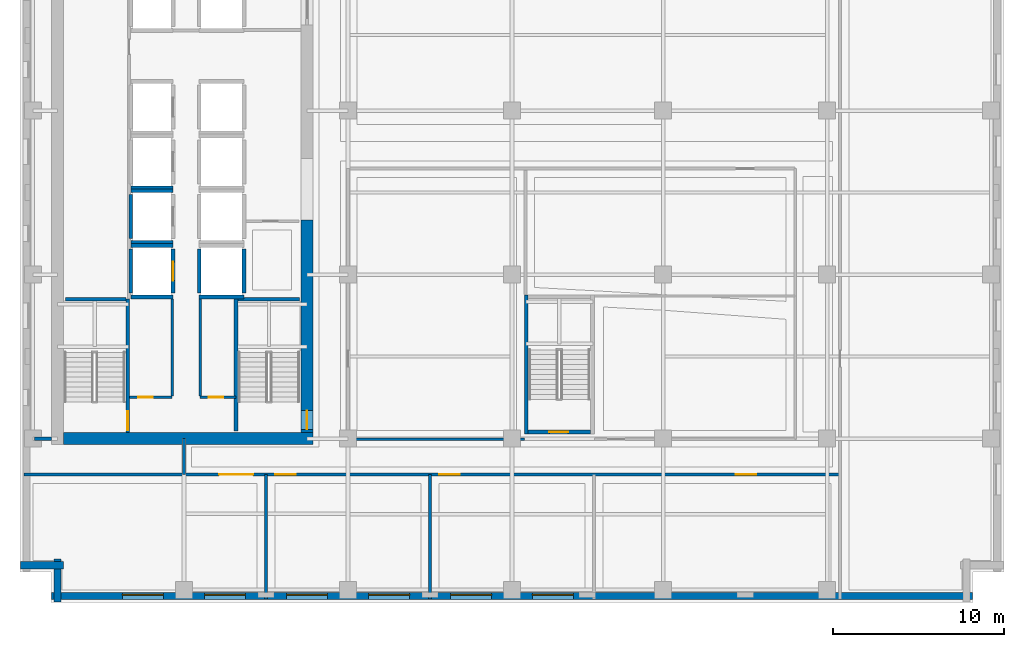
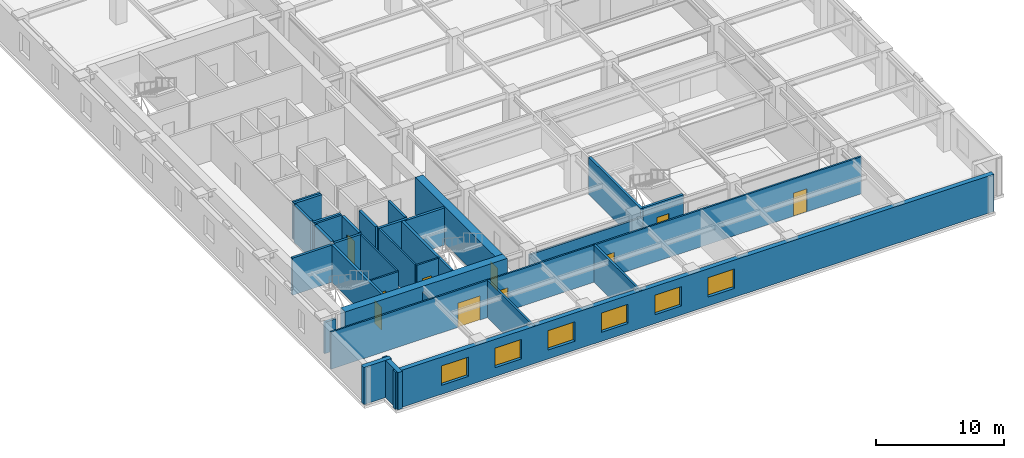
# One storey, part 3 of 11: 32 walls, 10 doors, 6 windows, 16 openings.
"""IFC4 building model written with IfcOpenShell, lengths in metres."""

from ifc_helpers import new_model, si_unit, direction, frame, frame_2d, origin, place, context, subcontext, project, spatial, rectangle, extrude, material, layer, layer_set, type_object, element, fill, save


model = new_model("IFC4")

# Units and contexts
model_context = context("Model", 3, precision=1e-05, world=origin(), true_north=direction((0.0, 1.0)))
body_context = subcontext(model_context, "Body", "Model", "MODEL_VIEW")
ifc_project = project(units=[si_unit("LENGTHUNIT", "METRE"), si_unit("AREAUNIT", "SQUARE_METRE"), si_unit("VOLUMEUNIT", "CUBIC_METRE"), si_unit("PLANEANGLEUNIT", "RADIAN"), si_unit("MASSUNIT", "GRAM", prefix="KILO")], contexts=[model_context])

# Site, building, storey
site_placement = place(None, origin())
site = spatial("IfcSite", under=ifc_project, at=site_placement, CompositionType="ELEMENT")
building_placement = place(site_placement, origin())
building = spatial("IfcBuilding", under=site, at=building_placement, Name="Norrvale University Quadrangle", CompositionType="ELEMENT")
storey_placement = place(building_placement, frame((0.0, 0.0, 128.0)))
storey = spatial("IfcBuildingStorey", under=building, at=storey_placement, Name="L32", CompositionType="ELEMENT", Elevation=128.0)

# Wall, openings, windows
ifc_material_1 = material(Name="Buff Norman Clay Brick Masonry", Category="masonry")
ifc_layer_1 = layer(ifc_material_1, 0.419921875, Name="Buff Norman Clay Brick Masonry")
ifc_layer_set_1 = layer_set([ifc_layer_1], Name="Buff Norman Clay Brick Masonry")
wall_type_1 = type_object("IfcWallType", Name="Wall Buff Brick 420", PredefinedType="SOLIDWALL", material=ifc_layer_set_1)
wall_1_placement = place(storey_placement, frame((1.840087890625, 0.389892578125, 0.0), z_axis=(0.0, 0.0, 1.0), x_axis=(1.0, 0.0, 0.0)))
wall_1 = element("IfcWall", 1, at=wall_1_placement, inside=storey, type_object=wall_type_1, Name="Exterior Brick Facade Wall L32-01.1", PredefinedType="SOLIDWALL", context=body_context, shape_type="SweptSolid", body=[
    extrude(rectangle(XDim=53.919921875, YDim=0.419921875, at=frame_2d((26.9599609375, 0.0))), origin(), (0.0, 0.0, 1.0), 3.5400390625),
])
opening_1_placement = place(wall_1_placement, frame((4.159912109375, 0.0, 0.85009765625)))
opening_1 = element("IfcOpeningElement", 2, at=opening_1_placement, cuts=wall_1, Name="Opening W02", PredefinedType="OPENING", context=body_context, shape_type="SweptSolid", body=[
    extrude(rectangle(XDim=2.39990234375, YDim=1.85009765625, at=frame_2d((1.199951171875, 0.925048828125))), frame((0.0, 0.221923828125, 0.0), z_axis=(0.0, -1.0, 0.0), x_axis=(1.0, 0.0, 0.0)), (0.0, 0.0, 1.0), 0.44384765625),
])
opening_2_placement = place(wall_1_placement, frame((8.9599609375, 0.0, 0.85009765625)))
opening_2 = element("IfcOpeningElement", 3, at=opening_2_placement, cuts=wall_1, Name="Opening W02", PredefinedType="OPENING", context=body_context, shape_type="SweptSolid", body=[
    extrude(rectangle(XDim=2.39990234375, YDim=1.85009765625, at=frame_2d((1.199951171875, 0.925048828125))), frame((0.0, 0.221923828125, 0.0), z_axis=(0.0, -1.0, 0.0), x_axis=(1.0, 0.0, 0.0)), (0.0, 0.0, 1.0), 0.44384765625),
])
opening_3_placement = place(wall_1_placement, frame((13.760009765625, 0.0, 0.85009765625)))
opening_3 = element("IfcOpeningElement", 4, at=opening_3_placement, cuts=wall_1, Name="Opening W02", PredefinedType="OPENING", context=body_context, shape_type="SweptSolid", body=[
    extrude(rectangle(XDim=2.39990234375, YDim=1.85009765625, at=frame_2d((1.199951171875, 0.925048828125))), frame((0.0, 0.221923828125, 0.0), z_axis=(0.0, -1.0, 0.0), x_axis=(1.0, 0.0, 0.0)), (0.0, 0.0, 1.0), 0.44384765625),
])
opening_4_placement = place(wall_1_placement, frame((18.56005859375, 0.0, 0.85009765625)))
opening_4 = element("IfcOpeningElement", 5, at=opening_4_placement, cuts=wall_1, Name="Opening W02", PredefinedType="OPENING", context=body_context, shape_type="SweptSolid", body=[
    extrude(rectangle(XDim=2.39990234375, YDim=1.85009765625, at=frame_2d((1.199951171875, 0.925048828125))), frame((0.0, 0.221923828125, 0.0), z_axis=(0.0, -1.0, 0.0), x_axis=(1.0, 0.0, 0.0)), (0.0, 0.0, 1.0), 0.44384765625),
])
opening_5_placement = place(wall_1_placement, frame((23.360107421875, 0.0, 0.85009765625)))
opening_5 = element("IfcOpeningElement", 6, at=opening_5_placement, cuts=wall_1, Name="Opening W02", PredefinedType="OPENING", context=body_context, shape_type="SweptSolid", body=[
    extrude(rectangle(XDim=2.39990234375, YDim=1.85009765625, at=frame_2d((1.199951171875, 0.925048828125))), frame((0.0, 0.221923828125, 0.0), z_axis=(0.0, -1.0, 0.0), x_axis=(1.0, 0.0, 0.0)), (0.0, 0.0, 1.0), 0.44384765625),
])
opening_6_placement = place(wall_1_placement, frame((28.159912109375, 0.0, 0.85009765625)))
opening_6 = element("IfcOpeningElement", 7, at=opening_6_placement, cuts=wall_1, Name="Opening W02", PredefinedType="OPENING", context=body_context, shape_type="SweptSolid", body=[
    extrude(rectangle(XDim=2.39990234375, YDim=1.85009765625, at=frame_2d((1.199951171875, 0.925048828125))), frame((0.0, 0.221923828125, 0.0), z_axis=(0.0, -1.0, 0.0), x_axis=(1.0, 0.0, 0.0)), (0.0, 0.0, 1.0), 0.44384765625),
])
ifc_material_2 = material(Name="Triple Low-E Argon Glazing", Category="glass")
window_type = type_object("IfcWindowType", Name="Window Academic 2400x2300", PartitioningType="TRIPLE_PANEL_VERTICAL", PredefinedType="WINDOW", material=ifc_material_2)
window_1_placement = place(opening_1_placement, origin())
window_1 = element("IfcWindow", 8, at=window_1_placement, inside=storey, type_object=window_type, Name="Window Academic 2400x2300 WIN-L32-E01-1-01", OverallHeight=1.85009765625, OverallWidth=2.39990234375, PartitioningType="TRIPLE_PANEL_VERTICAL", PredefinedType="WINDOW", context=body_context, shape_type="SweptSolid", body=[
    extrude(rectangle(XDim=2.39990234375, YDim=1.85009765625, at=frame_2d((1.199951171875, 0.925048828125))), frame((0.0, 0.110107421875, 0.0), z_axis=(0.0, -1.0, 0.0), x_axis=(1.0, 0.0, 0.0)), (0.0, 0.0, 1.0), 0.06005859375),
])
fill(opening_1, window_1)
window_2_placement = place(opening_2_placement, origin())
window_2 = element("IfcWindow", 9, at=window_2_placement, inside=storey, type_object=window_type, Name="Window Academic 2400x2300 WIN-L32-E01-1-02", OverallHeight=1.85009765625, OverallWidth=2.39990234375, PartitioningType="TRIPLE_PANEL_VERTICAL", PredefinedType="WINDOW", context=body_context, shape_type="SweptSolid", body=[
    extrude(rectangle(XDim=2.39990234375, YDim=1.85009765625, at=frame_2d((1.199951171875, 0.925048828125))), frame((0.0, 0.110107421875, 0.0), z_axis=(0.0, -1.0, 0.0), x_axis=(1.0, 0.0, 0.0)), (0.0, 0.0, 1.0), 0.06005859375),
])
fill(opening_2, window_2)
window_3_placement = place(opening_3_placement, origin())
window_3 = element("IfcWindow", 10, at=window_3_placement, inside=storey, type_object=window_type, Name="Window Academic 2400x2300 WIN-L32-E01-1-03", OverallHeight=1.85009765625, OverallWidth=2.39990234375, PartitioningType="TRIPLE_PANEL_VERTICAL", PredefinedType="WINDOW", context=body_context, shape_type="SweptSolid", body=[
    extrude(rectangle(XDim=2.39990234375, YDim=1.85009765625, at=frame_2d((1.199951171875, 0.925048828125))), frame((0.0, 0.110107421875, 0.0), z_axis=(0.0, -1.0, 0.0), x_axis=(1.0, 0.0, 0.0)), (0.0, 0.0, 1.0), 0.06005859375),
])
fill(opening_3, window_3)
window_4_placement = place(opening_4_placement, origin())
window_4 = element("IfcWindow", 11, at=window_4_placement, inside=storey, type_object=window_type, Name="Window Academic 2400x2300 WIN-L32-E01-1-04", OverallHeight=1.85009765625, OverallWidth=2.39990234375, PartitioningType="TRIPLE_PANEL_VERTICAL", PredefinedType="WINDOW", context=body_context, shape_type="SweptSolid", body=[
    extrude(rectangle(XDim=2.39990234375, YDim=1.85009765625, at=frame_2d((1.199951171875, 0.925048828125))), frame((0.0, 0.110107421875, 0.0), z_axis=(0.0, -1.0, 0.0), x_axis=(1.0, 0.0, 0.0)), (0.0, 0.0, 1.0), 0.06005859375),
])
fill(opening_4, window_4)
window_5_placement = place(opening_5_placement, origin())
window_5 = element("IfcWindow", 12, at=window_5_placement, inside=storey, type_object=window_type, Name="Window Academic 2400x2300 WIN-L32-E01-1-05", OverallHeight=1.85009765625, OverallWidth=2.39990234375, PartitioningType="TRIPLE_PANEL_VERTICAL", PredefinedType="WINDOW", context=body_context, shape_type="SweptSolid", body=[
    extrude(rectangle(XDim=2.39990234375, YDim=1.85009765625, at=frame_2d((1.199951171875, 0.925048828125))), frame((0.0, 0.110107421875, 0.0), z_axis=(0.0, -1.0, 0.0), x_axis=(1.0, 0.0, 0.0)), (0.0, 0.0, 1.0), 0.06005859375),
])
fill(opening_5, window_5)
window_6_placement = place(opening_6_placement, origin())
window_6 = element("IfcWindow", 13, at=window_6_placement, inside=storey, type_object=window_type, Name="Window Academic 2400x2300 WIN-L32-E01-1-06", OverallHeight=1.85009765625, OverallWidth=2.39990234375, PartitioningType="TRIPLE_PANEL_VERTICAL", PredefinedType="WINDOW", context=body_context, shape_type="SweptSolid", body=[
    extrude(rectangle(XDim=2.39990234375, YDim=1.85009765625, at=frame_2d((1.199951171875, 0.925048828125))), frame((0.0, 0.110107421875, 0.0), z_axis=(0.0, -1.0, 0.0), x_axis=(1.0, 0.0, 0.0)), (0.0, 0.0, 1.0), 0.06005859375),
])
fill(opening_6, window_6)

# Walls
for number, where, z_axis, x_axis, name in (
    (14, (0.0400390625, 2.18994140625, 0.0), (0.0, 0.0, 1.0), (1.0, 0.0, 0.0), "Exterior Brick Facade Wall L32-15.1"),
    (15, (2.18994140625, 2.5400390625, 0.0), (0.0, 0.0, 1.0), (0.0, -1.0, 0.0), "Exterior Brick Facade Wall L32-16.1"),
):
    element("IfcWall", number, at=place(storey_placement, frame(where, z_axis=z_axis, x_axis=x_axis)), inside=storey, type_object=wall_type_1, Name=name, PredefinedType="SOLIDWALL", context=body_context, shape_type="SweptSolid", body=[
        extrude(rectangle(XDim=2.5, YDim=0.419921875, at=frame_2d((1.25, 0.0))), origin(), (0.0, 0.0, 1.0), 3.5400390625),
    ])
ifc_material_3 = material(Name="Concrete C60/75", Category="concrete")
ifc_layer_2 = layer(ifc_material_3, 0.699951171875, Name="Concrete C60/75")
ifc_layer_set_2 = layer_set([ifc_layer_2], Name="Concrete C60/75")
wall_type_2 = type_object("IfcWallType", Name="Wall Core 700", PredefinedType="SHEAR", material=ifc_layer_set_2)
wall_2_placement = place(storey_placement, frame((2.550048828125, 9.60009765625, 0.0), z_axis=(0.0, 0.0, 1.0), x_axis=(1.0, 0.0, 0.0)))
element("IfcWall", 16, at=wall_2_placement, inside=storey, type_object=wall_type_2, Name="Tower Core Shear Wall L32-S", PredefinedType="SHEAR", context=body_context, shape_type="SweptSolid", body=[
    extrude(rectangle(XDim=14.599853515625, YDim=0.699951171875, at=frame_2d((7.2998046875, 0.0))), origin(), (0.0, 0.0, 1.0), 3.5400390625),
])

# Wall, opening, door
wall_3_placement = place(storey_placement, frame((16.800048828125, 9.949951171875, 0.0), z_axis=(0.0, 0.0, 1.0), x_axis=(0.0, 1.0, 0.0)))
wall_3 = element("IfcWall", 17, at=wall_3_placement, inside=storey, type_object=wall_type_2, Name="Tower Core Shear Wall L32-E1", PredefinedType="SHEAR", context=body_context, shape_type="SweptSolid", body=[
    extrude(rectangle(XDim=12.449951171875, YDim=0.699951171875, at=frame_2d((6.22509765625, 0.0))), origin(), (0.0, 0.0, 1.0), 3.5400390625),
])
opening_7_placement = place(wall_3_placement, frame((0.18994140625, 0.0, 0.0)))
opening_7 = element("IfcOpeningElement", 18, at=opening_7_placement, cuts=wall_3, Name="Opening D02", PredefinedType="OPENING", context=body_context, shape_type="SweptSolid", body=[
    extrude(rectangle(XDim=1.10009765625, YDim=2.199951171875, at=frame_2d((0.550048828125, 1.10009765625))), frame((0.0, 0.362060546875, 0.0), z_axis=(0.0, -1.0, 0.0), x_axis=(1.0, 0.0, 0.0)), (0.0, 0.0, 1.0), 0.723876953125),
])
ifc_material_4 = material(Name="Hollow Steel 350W Fire Door", Category="steel")
door_type_1 = type_object("IfcDoorType", Name="Door Stair Exit 1100x2200", OperationType="NOTDEFINED", PredefinedType="DOOR", material=ifc_material_4)
door_1_placement = place(opening_7_placement, origin())
door_1 = element("IfcDoor", 19, at=door_1_placement, inside=storey, type_object=door_type_1, Name="Door Stair Exit 1100x2200 DR-L32-ST03", OperationType="SINGLE_SWING_LEFT", OverallHeight=2.199951171875, OverallWidth=1.10009765625, PredefinedType="DOOR", context=body_context, shape_type="SweptSolid", body=[
    extrude(rectangle(XDim=1.10009765625, YDim=2.199951171875, at=frame_2d((0.550048828125, 1.10009765625))), frame((0.0, 0.02490234375, 0.0), z_axis=(0.0, -1.0, 0.0), x_axis=(1.0, 0.0, 0.0)), (0.0, 0.0, 1.0), 0.050048828125),
])
fill(opening_7, door_1)

ifc_material_5 = material(Name="Fire-Rated Gypsum Stud Partition")
ifc_layer_3 = layer(ifc_material_5, 0.14990234375, Name="Fire-Rated Gypsum Stud Partition")
ifc_layer_set_3 = layer_set([ifc_layer_3], Name="Fire-Rated Gypsum Stud Partition")
wall_type_3 = type_object("IfcWallType", Name="Wall Gypsum Corridor 150", PredefinedType="PARTITIONING", material=ifc_layer_set_3)
wall_4_placement = place(storey_placement, frame((6.419921875, 12.02001953125, 0.0), z_axis=(0.0, 0.0, 1.0), x_axis=(1.0, 0.0, 0.0)))
wall_4 = element("IfcWall", 20, at=wall_4_placement, inside=storey, type_object=wall_type_3, Name="Interior Partition WL-L32-SC-NL", PredefinedType="PARTITIONING", context=body_context, shape_type="SweptSolid", body=[
    extrude(rectangle(XDim=2.47998046875, YDim=0.14990234375, at=frame_2d((1.239990234375, 0.0))), origin(), (0.0, 0.0, 1.0), 3.5400390625),
])
opening_8_placement = place(wall_4_placement, frame((0.5, 0.0, 0.0)))
opening_8 = element("IfcOpeningElement", 21, at=opening_8_placement, cuts=wall_4, Name="Opening D10", PredefinedType="OPENING", context=body_context, shape_type="SweptSolid", body=[
    extrude(rectangle(XDim=0.85009765625, YDim=2.10009765625, at=frame_2d((0.425048828125, 1.050048828125))), frame((0.0, 0.0869140625, 0.0), z_axis=(0.0, -1.0, 0.0), x_axis=(1.0, 0.0, 0.0)), (0.0, 0.0, 1.0), 0.173828125),
])
ifc_material_6 = material(Name="Hollow Steel 350W Riser Fire Door", Category="steel")
door_type_2 = type_object("IfcDoorType", Name="Door Riser 850x2100", OperationType="NOTDEFINED", PredefinedType="DOOR", material=ifc_material_6)
door_2_placement = place(opening_8_placement, origin())
door_2 = element("IfcDoor", 22, at=door_2_placement, inside=storey, type_object=door_type_2, Name="Door Riser 850x2100 DR-L32-ELEC", OperationType="SINGLE_SWING_LEFT", OverallHeight=2.10009765625, OverallWidth=0.85009765625, PredefinedType="DOOR", context=body_context, shape_type="SweptSolid", body=[
    extrude(rectangle(XDim=0.85009765625, YDim=2.10009765625, at=frame_2d((0.425048828125, 1.050048828125))), frame((0.0, 0.02490234375, 0.0), z_axis=(0.0, -1.0, 0.0), x_axis=(1.0, 0.0, 0.0)), (0.0, 0.0, 1.0), 0.050048828125),
])
fill(opening_8, door_2)

wall_5_placement = place(storey_placement, frame((10.550048828125, 12.02001953125, 0.0), z_axis=(0.0, 0.0, 1.0), x_axis=(1.0, 0.0, 0.0)))
wall_5 = element("IfcWall", 23, at=wall_5_placement, inside=storey, type_object=wall_type_3, Name="Interior Partition WL-L32-SC-NR", PredefinedType="PARTITIONING", context=body_context, shape_type="SweptSolid", body=[
    extrude(rectangle(XDim=2.079833984375, YDim=0.14990234375, at=frame_2d((1.0400390625, 0.0))), origin(), (0.0, 0.0, 1.0), 3.5400390625),
])
opening_9_placement = place(wall_5_placement, frame((0.5, 0.0, 0.0)))
opening_9 = element("IfcOpeningElement", 24, at=opening_9_placement, cuts=wall_5, Name="Opening D10", PredefinedType="OPENING", context=body_context, shape_type="SweptSolid", body=[
    extrude(rectangle(XDim=0.85009765625, YDim=2.10009765625, at=frame_2d((0.425048828125, 1.050048828125))), frame((0.0, 0.0869140625, 0.0), z_axis=(0.0, -1.0, 0.0), x_axis=(1.0, 0.0, 0.0)), (0.0, 0.0, 1.0), 0.173828125),
])
door_3_placement = place(opening_9_placement, origin())
door_3 = element("IfcDoor", 25, at=door_3_placement, inside=storey, type_object=door_type_2, Name="Door Riser 850x2100 DR-L32-IDF", OperationType="SINGLE_SWING_RIGHT", OverallHeight=2.10009765625, OverallWidth=0.85009765625, PredefinedType="DOOR", context=body_context, shape_type="SweptSolid", body=[
    extrude(rectangle(XDim=0.85009765625, YDim=2.10009765625, at=frame_2d((0.425048828125, 1.050048828125))), frame((0.0, 0.02490234375, 0.0), z_axis=(0.0, -1.0, 0.0), x_axis=(1.0, 0.0, 0.0)), (0.0, 0.0, 1.0), 0.050048828125),
])
fill(opening_9, door_3)

# Walls
for number, where, z_axis, x_axis, name in (
    (26, (8.89990234375, 12.094970703125, 0.0), (0.0, 0.0, 1.0), (0.0, 1.0, 0.0), "Interior Partition WL-L32-SC-WL"),
    (27, (10.550048828125, 12.094970703125, 0.0), (0.0, 0.0, 1.0), (0.0, 1.0, 0.0), "Interior Partition WL-L32-SC-WR"),
):
    element("IfcWall", number, at=place(storey_placement, frame(where, z_axis=z_axis, x_axis=x_axis)), inside=storey, type_object=wall_type_3, Name=name, PredefinedType="PARTITIONING", context=body_context, shape_type="SweptSolid", body=[
        extrude(rectangle(XDim=5.679931640625, YDim=0.14990234375, at=frame_2d((2.83984375, 0.0))), origin(), (0.0, 0.0, 1.0), 3.5400390625),
    ])
wall_6_placement = place(storey_placement, frame((9.60009765625, 7.5, 0.0), z_axis=(0.0, 0.0, 1.0), x_axis=(0.0, 1.0, 0.0)))
element("IfcWall", 28, at=wall_6_placement, inside=storey, type_object=wall_type_3, Name="Interior Partition WL-L32-CSW-END", PredefinedType="PARTITIONING", context=body_context, shape_type="SweptSolid", body=[
    extrude(rectangle(XDim=2.10009765625, YDim=0.14990234375, at=frame_2d((1.050048828125, 0.0))), origin(), (0.0, 0.0, 1.0), 2.99609375),
])

# Wall, openings, doors
wall_7_placement = place(storey_placement, frame((0.219970703125, 7.5, 0.0), z_axis=(0.0, 0.0, 1.0), x_axis=(1.0, 0.0, 0.0)))
wall_7 = element("IfcWall", 29, at=wall_7_placement, inside=storey, type_object=wall_type_3, Name="Interior Partition WL-L32-SCW", PredefinedType="PARTITIONING", context=body_context, shape_type="SweptSolid", body=[
    extrude(rectangle(XDim=47.780029296875, YDim=0.14990234375, at=frame_2d((23.89013671875, 0.0))), origin(), (0.0, 0.0, 1.0), 3.5400390625),
])
opening_10_placement = place(wall_7_placement, frame((11.429931640625, 0.0, 0.0)))
opening_10 = element("IfcOpeningElement", 30, at=opening_10_placement, cuts=wall_7, Name="Opening D06", PredefinedType="OPENING", context=body_context, shape_type="SweptSolid", body=[
    extrude(rectangle(XDim=2.0, YDim=2.300048828125, at=frame_2d((1.0, 1.14990234375))), frame((0.0, 0.0869140625, 0.0), z_axis=(0.0, -1.0, 0.0), x_axis=(1.0, 0.0, 0.0)), (0.0, 0.0, 1.0), 0.173828125),
])
opening_11_placement = place(wall_7_placement, frame((14.72998046875, 0.0, 0.0)))
opening_11 = element("IfcOpeningElement", 31, at=opening_11_placement, cuts=wall_7, Name="Opening D05", PredefinedType="OPENING", context=body_context, shape_type="SweptSolid", body=[
    extrude(rectangle(XDim=1.199951171875, YDim=2.199951171875, at=frame_2d((0.60009765625, 1.10009765625))), frame((0.0, 0.0869140625, 0.0), z_axis=(0.0, -1.0, 0.0), x_axis=(1.0, 0.0, 0.0)), (0.0, 0.0, 1.0), 0.173828125),
])
opening_12_placement = place(wall_7_placement, frame((24.330078125, 0.0, 0.0)))
opening_12 = element("IfcOpeningElement", 32, at=opening_12_placement, cuts=wall_7, Name="Opening D05", PredefinedType="OPENING", context=body_context, shape_type="SweptSolid", body=[
    extrude(rectangle(XDim=1.199951171875, YDim=2.199951171875, at=frame_2d((0.60009765625, 1.10009765625))), frame((0.0, 0.0869140625, 0.0), z_axis=(0.0, -1.0, 0.0), x_axis=(1.0, 0.0, 0.0)), (0.0, 0.0, 1.0), 0.173828125),
])
opening_13_placement = place(wall_7_placement, frame((41.679931640625, 0.0, 0.0)))
opening_13 = element("IfcOpeningElement", 33, at=opening_13_placement, cuts=wall_7, Name="Opening D05", PredefinedType="OPENING", context=body_context, shape_type="SweptSolid", body=[
    extrude(rectangle(XDim=1.199951171875, YDim=2.199951171875, at=frame_2d((0.60009765625, 1.10009765625))), frame((0.0, 0.0869140625, 0.0), z_axis=(0.0, -1.0, 0.0), x_axis=(1.0, 0.0, 0.0)), (0.0, 0.0, 1.0), 0.173828125),
])
ifc_material_7 = material(Name="Acoustic Oak Classroom Door", Category="wood")
door_type_3 = type_object("IfcDoorType", Name="Door Classroom 1200x2200", OperationType="NOTDEFINED", PredefinedType="DOOR", material=ifc_material_7)
door_4_placement = place(opening_11_placement, origin())
door_4 = element("IfcDoor", 34, at=door_4_placement, inside=storey, type_object=door_type_3, Name="Door Classroom 1200x2200 DR-L32-S02", OperationType="SINGLE_SWING_RIGHT", OverallHeight=2.199951171875, OverallWidth=1.199951171875, PredefinedType="DOOR", context=body_context, shape_type="SweptSolid", body=[
    extrude(rectangle(XDim=1.199951171875, YDim=2.199951171875, at=frame_2d((0.60009765625, 1.10009765625))), frame((0.0, 0.02490234375, 0.0), z_axis=(0.0, -1.0, 0.0), x_axis=(1.0, 0.0, 0.0)), (0.0, 0.0, 1.0), 0.050048828125),
])
fill(opening_11, door_4)
door_5_placement = place(opening_12_placement, origin())
door_5 = element("IfcDoor", 35, at=door_5_placement, inside=storey, type_object=door_type_3, Name="Door Classroom 1200x2200 DR-L32-S03", OperationType="SINGLE_SWING_LEFT", OverallHeight=2.199951171875, OverallWidth=1.199951171875, PredefinedType="DOOR", context=body_context, shape_type="SweptSolid", body=[
    extrude(rectangle(XDim=1.199951171875, YDim=2.199951171875, at=frame_2d((0.60009765625, 1.10009765625))), frame((0.0, 0.02490234375, 0.0), z_axis=(0.0, -1.0, 0.0), x_axis=(1.0, 0.0, 0.0)), (0.0, 0.0, 1.0), 0.050048828125),
])
fill(opening_12, door_5)
door_6_placement = place(opening_13_placement, origin())
door_6 = element("IfcDoor", 36, at=door_6_placement, inside=storey, type_object=door_type_3, Name="Door Classroom 1200x2200 DR-L32-S04", OperationType="SINGLE_SWING_RIGHT", OverallHeight=2.199951171875, OverallWidth=1.199951171875, PredefinedType="DOOR", context=body_context, shape_type="SweptSolid", body=[
    extrude(rectangle(XDim=1.199951171875, YDim=2.199951171875, at=frame_2d((0.60009765625, 1.10009765625))), frame((0.0, 0.02490234375, 0.0), z_axis=(0.0, -1.0, 0.0), x_axis=(1.0, 0.0, 0.0)), (0.0, 0.0, 1.0), 0.050048828125),
])
fill(opening_13, door_6)
ifc_material_8 = material(Name="Acoustic Oak Double Door", Category="wood")
door_type_4 = type_object("IfcDoorType", Name="Door Lecture Dbl 2000x2300", OperationType="DOUBLE_SWING_LEFT", PredefinedType="DOOR", material=ifc_material_8)
door_7_placement = place(opening_10_placement, origin())
door_7 = element("IfcDoor", 37, at=door_7_placement, inside=storey, type_object=door_type_4, Name="Door Lecture Dbl 2000x2300 DR-L32-S01", OperationType="DOUBLE_SWING_LEFT", OverallHeight=2.300048828125, OverallWidth=2.0, PredefinedType="DOOR", context=body_context, shape_type="SweptSolid", body=[
    extrude(rectangle(XDim=2.0, YDim=2.300048828125, at=frame_2d((1.0, 1.14990234375))), frame((0.0, 0.02490234375, 0.0), z_axis=(0.0, -1.0, 0.0), x_axis=(1.0, 0.0, 0.0)), (0.0, 0.0, 1.0), 0.050048828125),
])
fill(opening_10, door_7)

# Walls
wall_8_placement = place(storey_placement, frame((19.280029296875, 9.550048828125, 0.0), z_axis=(0.0, 0.0, 1.0), x_axis=(1.0, 0.0, 0.0)))
element("IfcWall", 38, at=wall_8_placement, inside=storey, type_object=wall_type_3, Name="Interior Partition WL-L32-ISLS1", PredefinedType="PARTITIONING", context=body_context, shape_type="SweptSolid", body=[
    extrude(rectangle(XDim=10.244873046875, YDim=0.14990234375, at=frame_2d((5.12255859375, 0.0))), origin(), (0.0, 0.0, 1.0), 2.99609375),
])
ifc_material_9 = material(Name="Acoustic Double-Stud Gypsum Partition")
ifc_layer_4 = layer(ifc_material_9, 0.179931640625, Name="Acoustic Double-Stud Gypsum Partition")
ifc_layer_set_4 = layer_set([ifc_layer_4], Name="Acoustic Double-Stud Gypsum Partition")
wall_type_4 = type_object("IfcWallType", Name="Wall Gypsum Lecture 180", PredefinedType="PARTITIONING", material=ifc_layer_set_4)
for number, where, z_axis, x_axis, name in (
    (39, (14.39990234375, 0.219970703125, 0.0), (0.0, 0.0, 1.0), (0.0, 1.0, 0.0), "Interior Partition WL-L32-SP01"),
    (40, (24.0, 0.219970703125, 0.0), (0.0, 0.0, 1.0), (0.0, 1.0, 0.0), "Interior Partition WL-L32-SP02"),
):
    element("IfcWall", number, at=place(storey_placement, frame(where, z_axis=z_axis, x_axis=x_axis)), inside=storey, type_object=wall_type_4, Name=name, PredefinedType="PARTITIONING", context=body_context, shape_type="SweptSolid", body=[
        extrude(rectangle(XDim=7.280029296875, YDim=0.179931640625, at=frame_2d((3.64013671875, 0.0))), origin(), (0.0, 0.0, 1.0), 3.5400390625),
    ])
ifc_material_10 = material(Name="Concrete Blockwork 20 MPa Rated Wall", Category="masonry")
ifc_layer_5 = layer(ifc_material_10, 0.199951171875, Name="Concrete Blockwork 20 MPa Rated Wall")
ifc_layer_set_5 = layer_set([ifc_layer_5], Name="Concrete Blockwork 20 MPa Rated Wall")
wall_type_5 = type_object("IfcWallType", Name="Wall Lobby 200", PredefinedType="SOLIDWALL", material=ifc_layer_set_5)
wall_9_placement = place(storey_placement, frame((0.85009765625, 9.60009765625, 0.0), z_axis=(0.0, 0.0, 1.0), x_axis=(1.0, 0.0, 0.0)))
element("IfcWall", 41, at=wall_9_placement, inside=storey, type_object=wall_type_5, Name="Interior Partition WL-L32-CWRET-S", PredefinedType="SOLIDWALL", context=body_context, shape_type="SweptSolid", body=[
    extrude(rectangle(XDim=0.994873046875, YDim=0.199951171875, at=frame_2d((0.49755859375, 0.0))), origin(), (0.0, 0.0, 1.0), 2.99609375),
])

# Wall, opening, door
ifc_material_11 = material(Name="Concrete Blockwork 20 MPa Fire Shaft", Category="masonry")
ifc_layer_6 = layer(ifc_material_11, 0.219970703125, Name="Concrete Blockwork 20 MPa Fire Shaft")
ifc_layer_set_6 = layer_set([ifc_layer_6], Name="Concrete Blockwork 20 MPa Fire Shaft")
wall_type_6 = type_object("IfcWallType", Name="Wall Shaft 220", PredefinedType="SOLIDWALL", material=ifc_layer_set_6)
wall_10_placement = place(storey_placement, frame((6.31005859375, 9.949951171875, 0.0), z_axis=(0.0, 0.0, 1.0), x_axis=(0.0, 1.0, 0.0)))
wall_10 = element("IfcWall", 42, at=wall_10_placement, inside=storey, type_object=wall_type_6, Name="Stair ST-01 East Shaft Wall L32", PredefinedType="SOLIDWALL", context=body_context, shape_type="SweptSolid", body=[
    extrude(rectangle(XDim=7.81005859375, YDim=0.219970703125, at=frame_2d((3.905029296875, 0.0))), origin(), (0.0, 0.0, 1.0), 3.5400390625),
])
opening_14_placement = place(wall_10_placement, frame((0.139892578125, 0.0, 0.0)))
opening_14 = element("IfcOpeningElement", 43, at=opening_14_placement, cuts=wall_10, Name="Opening D02", PredefinedType="OPENING", context=body_context, shape_type="SweptSolid", body=[
    extrude(rectangle(XDim=1.10009765625, YDim=2.199951171875, at=frame_2d((0.550048828125, 1.10009765625))), frame((0.0, 0.1220703125, 0.0), z_axis=(0.0, -1.0, 0.0), x_axis=(1.0, 0.0, 0.0)), (0.0, 0.0, 1.0), 0.243896484375),
])
door_8_placement = place(opening_14_placement, origin())
door_8 = element("IfcDoor", 44, at=door_8_placement, inside=storey, type_object=door_type_1, Name="Door Stair Exit 1100x2200 DR-L32-ST01", OperationType="SINGLE_SWING_LEFT", OverallHeight=2.199951171875, OverallWidth=1.10009765625, PredefinedType="DOOR", context=body_context, shape_type="SweptSolid", body=[
    extrude(rectangle(XDim=1.10009765625, YDim=2.199951171875, at=frame_2d((0.550048828125, 1.10009765625))), frame((0.0, 0.02490234375, 0.0), z_axis=(0.0, -1.0, 0.0), x_axis=(1.0, 0.0, 0.0)), (0.0, 0.0, 1.0), 0.050048828125),
])
fill(opening_14, door_8)

# Walls
wall_11_placement = place(storey_placement, frame((2.64990234375, 17.760009765625, 0.0), z_axis=(0.0, 0.0, 1.0), x_axis=(1.0, 0.0, 0.0)))
element("IfcWall", 45, at=wall_11_placement, inside=storey, type_object=wall_type_6, Name="Stair ST-01 North Shaft Wall L32", PredefinedType="SOLIDWALL", context=body_context, shape_type="SweptSolid", body=[
    extrude(rectangle(XDim=3.550048828125, YDim=0.219970703125, at=frame_2d((1.77490234375, 0.0))), origin(), (0.0, 0.0, 1.0), 3.5400390625),
])
wall_12_placement = place(storey_placement, frame((12.639892578125, 10.050048828125, 0.0), z_axis=(0.0, 0.0, 1.0), x_axis=(0.0, 1.0, 0.0)))
element("IfcWall", 46, at=wall_12_placement, inside=storey, type_object=wall_type_6, Name="Stair ST-03 West Shaft Wall L32", PredefinedType="SOLIDWALL", context=body_context, shape_type="SweptSolid", body=[
    extrude(rectangle(XDim=7.7099609375, YDim=0.219970703125, at=frame_2d((3.85498046875, 0.0))), origin(), (0.0, 0.0, 1.0), 3.5400390625),
])
wall_13_placement = place(storey_placement, frame((12.75, 17.760009765625, 0.0), z_axis=(0.0, 0.0, 1.0), x_axis=(1.0, 0.0, 0.0)))
element("IfcWall", 47, at=wall_13_placement, inside=storey, type_object=wall_type_6, Name="Stair ST-03 North Shaft Wall L32", PredefinedType="SOLIDWALL", context=body_context, shape_type="SweptSolid", body=[
    extrude(rectangle(XDim=3.60009765625, YDim=0.219970703125, at=frame_2d((1.800048828125, 0.0))), origin(), (0.0, 0.0, 1.0), 3.5400390625),
])

# Wall, opening, door
wall_14_placement = place(storey_placement, frame((29.75, 9.989990234375, 0.0), z_axis=(0.0, 0.0, 1.0), x_axis=(1.0, 0.0, 0.0)))
wall_14 = element("IfcWall", 48, at=wall_14_placement, inside=storey, type_object=wall_type_6, Name="Stair ST-04 South Shaft Wall L32", PredefinedType="SOLIDWALL", context=body_context, shape_type="SweptSolid", body=[
    extrude(rectangle(XDim=3.64990234375, YDim=0.219970703125, at=frame_2d((1.824951171875, 0.0))), origin(), (0.0, 0.0, 1.0), 3.5400390625),
])
opening_15_placement = place(wall_14_placement, frame((1.239990234375, 0.0, 0.0)))
opening_15 = element("IfcOpeningElement", 49, at=opening_15_placement, cuts=wall_14, Name="Opening D02", PredefinedType="OPENING", context=body_context, shape_type="SweptSolid", body=[
    extrude(rectangle(XDim=1.10009765625, YDim=2.199951171875, at=frame_2d((0.550048828125, 1.10009765625))), frame((0.0, 0.1220703125, 0.0), z_axis=(0.0, -1.0, 0.0), x_axis=(1.0, 0.0, 0.0)), (0.0, 0.0, 1.0), 0.243896484375),
])
door_9_placement = place(opening_15_placement, origin())
door_9 = element("IfcDoor", 50, at=door_9_placement, inside=storey, type_object=door_type_1, Name="Door Stair Exit 1100x2200 DR-L32-ST04", OperationType="SINGLE_SWING_LEFT", OverallHeight=2.199951171875, OverallWidth=1.10009765625, PredefinedType="DOOR", context=body_context, shape_type="SweptSolid", body=[
    extrude(rectangle(XDim=1.10009765625, YDim=2.199951171875, at=frame_2d((0.550048828125, 1.10009765625))), frame((0.0, 0.02490234375, 0.0), z_axis=(0.0, -1.0, 0.0), x_axis=(1.0, 0.0, 0.0)), (0.0, 0.0, 1.0), 0.050048828125),
])
fill(opening_15, door_9)

# Walls
wall_15_placement = place(storey_placement, frame((29.639892578125, 9.8798828125, 0.0), z_axis=(0.0, 0.0, 1.0), x_axis=(0.0, 1.0, 0.0)))
element("IfcWall", 51, at=wall_15_placement, inside=storey, type_object=wall_type_6, Name="Stair ST-04 West Shaft Wall L32", PredefinedType="SOLIDWALL", context=body_context, shape_type="SweptSolid", body=[
    extrude(rectangle(XDim=8.14013671875, YDim=0.219970703125, at=frame_2d((4.070068359375, 0.0))), origin(), (0.0, 0.0, 1.0), 3.5400390625),
])
wall_16_placement = place(storey_placement, frame((6.489990234375, 18.110107421875, 0.0), z_axis=(0.0, 0.0, 1.0), x_axis=(0.0, 1.0, 0.0)))
element("IfcWall", 52, at=wall_16_placement, inside=storey, type_object=wall_type_6, Name="Hoistway PL-01 West Wall L32", PredefinedType="SOLIDWALL", context=body_context, shape_type="SweptSolid", body=[
    extrude(rectangle(XDim=2.579833984375, YDim=0.219970703125, at=frame_2d((1.2900390625, 0.0))), origin(), (0.0, 0.0, 1.0), 3.5400390625),
])

# Wall, opening, door
wall_17_placement = place(storey_placement, frame((8.9599609375, 18.110107421875, 0.0), z_axis=(0.0, 0.0, 1.0), x_axis=(0.0, 1.0, 0.0)))
wall_17 = element("IfcWall", 53, at=wall_17_placement, inside=storey, type_object=wall_type_6, Name="Hoistway PL-01 East Wall L32", PredefinedType="SOLIDWALL", context=body_context, shape_type="SweptSolid", body=[
    extrude(rectangle(XDim=2.579833984375, YDim=0.219970703125, at=frame_2d((1.2900390625, 0.0))), origin(), (0.0, 0.0, 1.0), 3.5400390625),
])
opening_16_placement = place(wall_17_placement, frame((0.739990234375, 0.0, 0.0)))
opening_16 = element("IfcOpeningElement", 54, at=opening_16_placement, cuts=wall_17, Name="Opening LD1", PredefinedType="OPENING", context=body_context, shape_type="SweptSolid", body=[
    extrude(rectangle(XDim=1.10009765625, YDim=2.199951171875, at=frame_2d((0.550048828125, 1.10009765625))), frame((0.0, 0.1220703125, 0.0), z_axis=(0.0, -1.0, 0.0), x_axis=(1.0, 0.0, 0.0)), (0.0, 0.0, 1.0), 0.243896484375),
])
ifc_material_12 = material(Name="Stainless Steel 316L Lift Landing Door", Category="steel")
door_type_5 = type_object("IfcDoorType", Name="Door Lift Landing 1100x2200", OperationType="DOUBLE_DOOR_SLIDING", PredefinedType="DOOR", material=ifc_material_12)
door_10_placement = place(opening_16_placement, origin())
door_10 = element("IfcDoor", 55, at=door_10_placement, inside=storey, type_object=door_type_5, Name="Elevator Landing Door DR-L32-PL-01", OperationType="DOUBLE_DOOR_SLIDING", OverallHeight=2.199951171875, OverallWidth=1.10009765625, PredefinedType="DOOR", context=body_context, shape_type="SweptSolid", body=[
    extrude(rectangle(XDim=1.10009765625, YDim=2.199951171875, at=frame_2d((0.550048828125, 1.10009765625))), frame((0.0, 0.02490234375, 0.0), z_axis=(0.0, -1.0, 0.0), x_axis=(1.0, 0.0, 0.0)), (0.0, 0.0, 1.0), 0.050048828125),
])
fill(opening_16, door_10)

# Walls
for number, where, z_axis, x_axis, name in (
    (56, (6.489990234375, 17.889892578125, 0.0), (0.0, 0.0, 1.0), (1.0, 0.0, 0.0), "Hoistway PL-01 South Wall L32"),
    (57, (6.489990234375, 20.909912109375, 0.0), (0.0, 0.0, 1.0), (1.0, 0.0, 0.0), "Hoistway PL-01 North Wall L32"),
):
    element("IfcWall", number, at=place(storey_placement, frame(where, z_axis=z_axis, x_axis=x_axis)), inside=storey, type_object=wall_type_6, Name=name, PredefinedType="SOLIDWALL", context=body_context, shape_type="SweptSolid", body=[
        extrude(rectangle(XDim=2.469970703125, YDim=0.219970703125, at=frame_2d((1.23486328125, 0.0))), origin(), (0.0, 0.0, 1.0), 3.5400390625),
    ])
wall_18_placement = place(storey_placement, frame((6.489990234375, 21.31005859375, 0.0), z_axis=(0.0, 0.0, 1.0), x_axis=(0.0, 1.0, 0.0)))
element("IfcWall", 58, at=wall_18_placement, inside=storey, type_object=wall_type_6, Name="Hoistway PL-02 West Wall L32", PredefinedType="SOLIDWALL", context=body_context, shape_type="SweptSolid", body=[
    extrude(rectangle(XDim=2.579833984375, YDim=0.219970703125, at=frame_2d((1.2900390625, 0.0))), origin(), (0.0, 0.0, 1.0), 3.5400390625),
])
for number, where, z_axis, x_axis, name in (
    (59, (6.489990234375, 21.090087890625, 0.0), (0.0, 0.0, 1.0), (1.0, 0.0, 0.0), "Hoistway PL-02 South Wall L32"),
    (60, (6.489990234375, 24.110107421875, 0.0), (0.0, 0.0, 1.0), (1.0, 0.0, 0.0), "Hoistway PL-02 North Wall L32"),
    (61, (6.489990234375, 24.2900390625, 0.0), (0.0, 0.0, 1.0), (1.0, 0.0, 0.0), "Hoistway PL-03 South Wall L32"),
):
    element("IfcWall", number, at=place(storey_placement, frame(where, z_axis=z_axis, x_axis=x_axis)), inside=storey, type_object=wall_type_6, Name=name, PredefinedType="SOLIDWALL", context=body_context, shape_type="SweptSolid", body=[
        extrude(rectangle(XDim=2.469970703125, YDim=0.219970703125, at=frame_2d((1.23486328125, 0.0))), origin(), (0.0, 0.0, 1.0), 3.5400390625),
    ])
for number, where, z_axis, x_axis, name in (
    (62, (10.489990234375, 18.110107421875, 0.0), (0.0, 0.0, 1.0), (0.0, 1.0, 0.0), "Hoistway PL-05 West Wall L32"),
    (63, (13.110107421875, 18.110107421875, 0.0), (0.0, 0.0, 1.0), (0.0, 1.0, 0.0), "Hoistway PL-05 East Wall L32"),
):
    element("IfcWall", number, at=place(storey_placement, frame(where, z_axis=z_axis, x_axis=x_axis)), inside=storey, type_object=wall_type_6, Name=name, PredefinedType="SOLIDWALL", context=body_context, shape_type="SweptSolid", body=[
        extrude(rectangle(XDim=2.579833984375, YDim=0.219970703125, at=frame_2d((1.2900390625, 0.0))), origin(), (0.0, 0.0, 1.0), 3.5400390625),
    ])
wall_19_placement = place(storey_placement, frame((10.489990234375, 17.889892578125, 0.0), z_axis=(0.0, 0.0, 1.0), x_axis=(1.0, 0.0, 0.0)))
element("IfcWall", 64, at=wall_19_placement, inside=storey, type_object=wall_type_6, Name="Hoistway PL-05 South Wall L32", PredefinedType="SOLIDWALL", context=body_context, shape_type="SweptSolid", body=[
    extrude(rectangle(XDim=2.6201171875, YDim=0.219970703125, at=frame_2d((1.31005859375, 0.0))), origin(), (0.0, 0.0, 1.0), 3.5400390625),
])

save(model, "model.ifc")
